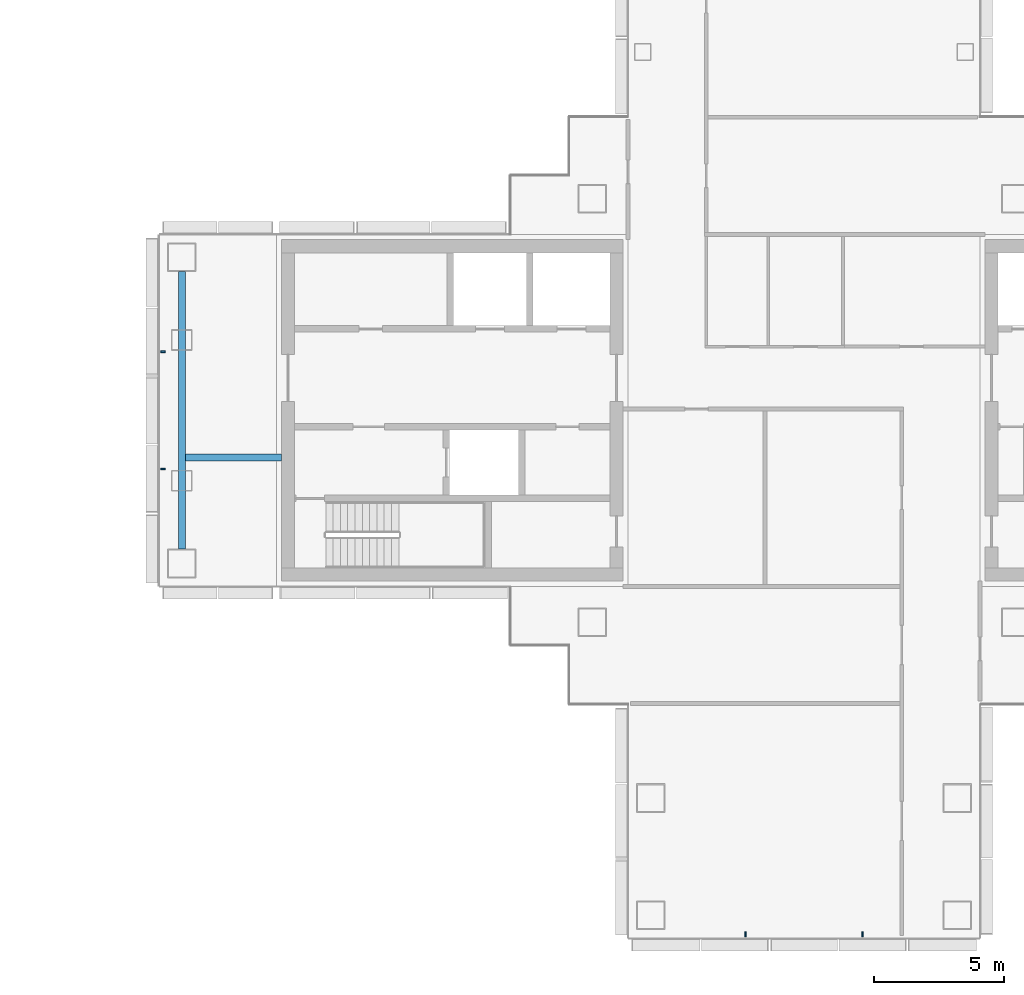
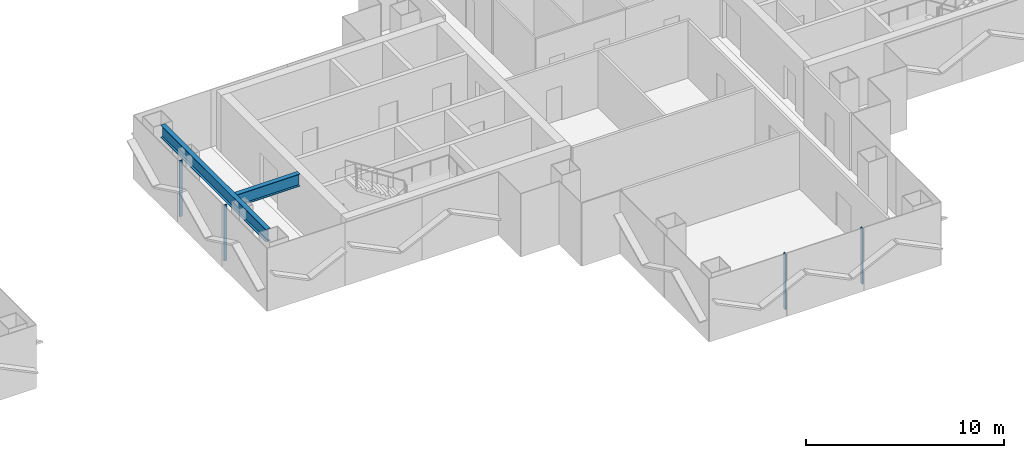
# One storey, part 5 of 16: 4 members, 2 beams, 2 elements without a shape of their own.
"""IFC4 building model written with IfcOpenShell, lengths in metres."""

from ifc_helpers import new_model, si_unit, direction, frame, origin, origin_2d, place, context, subcontext, project, spatial, rectangle, i_section, extrude, material, layer, layer_set, material_profile, profile_set, type_object, element, aggregate, save


model = new_model("IFC4")

# Units and contexts
model_context = context("Model", 3, precision=1e-05, world=origin(), true_north=direction((0.0, 1.0)))
body_context = subcontext(model_context, "Body", "Model", "MODEL_VIEW")
ifc_project = project(units=[si_unit("LENGTHUNIT", "METRE"), si_unit("AREAUNIT", "SQUARE_METRE"), si_unit("VOLUMEUNIT", "CUBIC_METRE"), si_unit("PLANEANGLEUNIT", "RADIAN"), si_unit("MASSUNIT", "GRAM", prefix="KILO")], contexts=[model_context])

# Site, building, storey
site_placement = place(None, origin())
site = spatial("IfcSite", under=ifc_project, at=site_placement, CompositionType="ELEMENT")
building_placement = place(site_placement, origin())
building = spatial("IfcBuilding", under=site, at=building_placement, Name="Shamsa Quay Exchange Towers", CompositionType="ELEMENT")
storey_placement = place(building_placement, frame((0.0, 0.0, 162.300048828125)))
storey = spatial("IfcBuildingStorey", under=building, at=storey_placement, Name="L38", CompositionType="ELEMENT", Elevation=162.300048828125)

# Curtain wall, members
ifc_material_1 = material(Name="Aluminium EN AW-6063 T6, black anodised", Category="aluminium")
ifc_layer = layer(ifc_material_1, 0.280029296875)
ifc_layer_set = layer_set([ifc_layer], Name="CW-1 UNITISED VISION GLASS")
curtain_wall_type = type_object("IfcCurtainWallType", Name="CW-1 UNITISED VISION GLASS", PredefinedType="NOTDEFINED", material=ifc_layer_set)
curtain_wall_1_placement = place(storey_placement, origin())
curtain_wall_1 = element("IfcCurtainWall", 1, at=curtain_wall_1_placement, inside=storey, type_object=curtain_wall_type, Name="CW1 T2-END-V+ L38", PredefinedType="NOTDEFINED")
ifc_material_profile_1 = material_profile(ifc_material_1, rectangle(XDim=0.179931640625, YDim=0.06005859375, at=origin_2d()), Name="MU60x180")
ifc_profile_set_1 = profile_set([ifc_material_profile_1], Name="Aluminium EN AW-6063 T6, black anodised")
member_type = type_object("IfcMemberType", Name="CW1 MULLION 60x180", PredefinedType="MULLION", material=ifc_profile_set_1)
member_1_placement = place(storey_placement, frame((9.14990234375, 2.25, 0.0)))
member_1 = element("IfcMember", 2, at=member_1_placement, type_object=member_type, Name="CW1 mullion", PredefinedType="MULLION", context=body_context, shape_type="SweptSolid", body=[
    extrude(rectangle(XDim=0.179931640625, YDim=0.06005859375, at=origin_2d()), origin(), (0.0, 0.0, 1.0), 3.449951171875),
])
member_2_placement = place(storey_placement, frame((9.14990234375, -2.25, 0.0)))
member_2 = element("IfcMember", 3, at=member_2_placement, type_object=member_type, Name="CW1 mullion", PredefinedType="MULLION", context=body_context, shape_type="SweptSolid", body=[
    extrude(rectangle(XDim=0.179931640625, YDim=0.06005859375, at=origin_2d()), origin(), (0.0, 0.0, 1.0), 3.449951171875),
])
aggregate(curtain_wall_1, [member_1, member_2])

curtain_wall_2_placement = place(storey_placement, origin())
curtain_wall_2 = element("IfcCurtainWall", 4, at=curtain_wall_2_placement, inside=storey, type_object=curtain_wall_type, Name="CW1 T2-END-U- L38", PredefinedType="NOTDEFINED")
member_3_placement = place(storey_placement, frame((31.5, -20.10009765625, 0.0), z_axis=(0.0, 0.0, 1.0), x_axis=(0.0, 1.0, 0.0)))
member_3 = element("IfcMember", 5, at=member_3_placement, type_object=member_type, Name="CW1 mullion", PredefinedType="MULLION", context=body_context, shape_type="SweptSolid", body=[
    extrude(rectangle(XDim=0.179931640625, YDim=0.06005859375, at=origin_2d()), origin(), (0.0, 0.0, 1.0), 3.449951171875),
])
member_4_placement = place(storey_placement, frame((36.0, -20.10009765625, 0.0), z_axis=(0.0, 0.0, 1.0), x_axis=(0.0, 1.0, 0.0)))
member_4 = element("IfcMember", 6, at=member_4_placement, type_object=member_type, Name="CW1 mullion", PredefinedType="MULLION", context=body_context, shape_type="SweptSolid", body=[
    extrude(rectangle(XDim=0.179931640625, YDim=0.06005859375, at=origin_2d()), origin(), (0.0, 0.0, 1.0), 3.449951171875),
])
aggregate(curtain_wall_2, [member_3, member_4])

# Beams
ifc_material_2 = material(Name="Steel S355", Category="steel")
ifc_material_profile_2 = material_profile(ifc_material_2, i_section(OverallWidth=0.26611328125, OverallDepth=0.7578125, WebThickness=0.013916015625, FlangeThickness=0.019287109375, at=origin_2d()), Name="W30x108")
ifc_profile_set_2 = profile_set([ifc_material_profile_2], Name="Steel S355")
beam_type = type_object("IfcBeamType", Name="End-zone beam W30x108", PredefinedType="BEAM", material=ifc_profile_set_2)
beam_1_placement = place(storey_placement, frame((9.875, -5.324951171875, 3.171142578125), z_axis=(0.0, 1.0, 0.0), x_axis=(-1.0, 0.0, 0.0)))
element("IfcBeam", 7, at=beam_1_placement, inside=storey, type_object=beam_type, Name="End beam T2 V+ end zone L38", PredefinedType="BEAM", context=body_context, shape_type="SweptSolid", body=[
    extrude(i_section(OverallWidth=0.26611328125, OverallDepth=0.7578125, WebThickness=0.013916015625, FlangeThickness=0.019287109375, at=origin_2d()), origin(), (0.0, 0.0, 1.0), 10.64990234375),
])
beam_2_placement = place(storey_placement, frame((13.699951171875, -1.800048828125, 3.171142578125), z_axis=(-1.0, 0.0, 0.0), x_axis=(0.0, -1.0, 0.0)))
element("IfcBeam", 8, at=beam_2_placement, inside=storey, type_object=beam_type, Name="Spine beam T2 V+ end zone L38", PredefinedType="BEAM", context=body_context, shape_type="SweptSolid", body=[
    extrude(i_section(OverallWidth=0.26611328125, OverallDepth=0.7578125, WebThickness=0.013916015625, FlangeThickness=0.019287109375, at=origin_2d()), origin(), (0.0, 0.0, 1.0), 3.69189453125),
])

save(model, "model.ifc")
